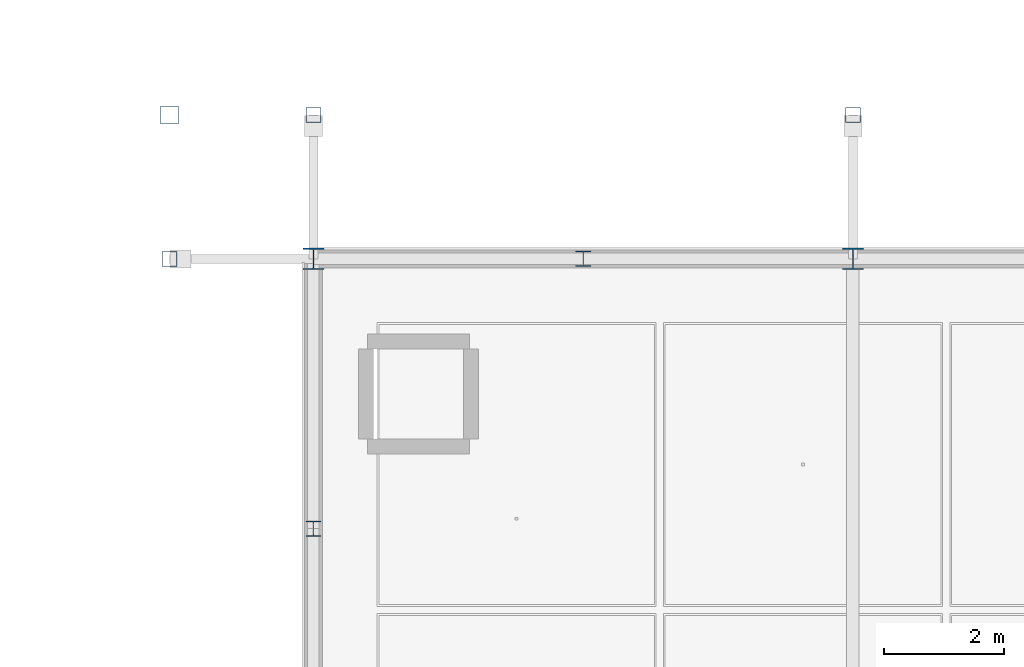
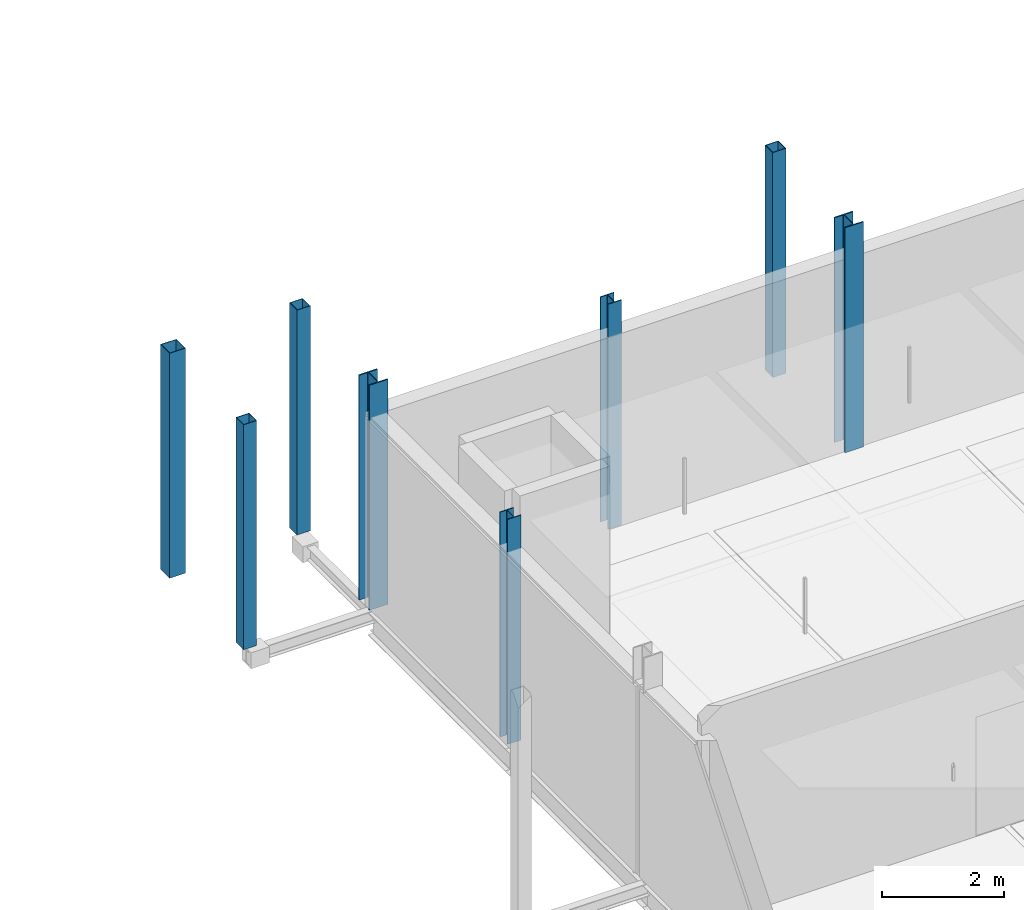
# One storey, part 4 of 89: 8 columns.
"""IFC4 building model written with IfcOpenShell, lengths in metres."""

from ifc_helpers import new_model, si_unit, direction, frame, origin, origin_2d, place, context, subcontext, project, spatial, hollow_rectangle, i_section, extrude, material, material_profile, profile_set, type_object, element, save


model = new_model("IFC4")

# Units and contexts
model_context = context("Model", 3, precision=1e-05, world=origin(), true_north=direction((0.0, 1.0)))
body_context = subcontext(model_context, "Body", "Model", "MODEL_VIEW")
ifc_project = project(units=[si_unit("LENGTHUNIT", "METRE"), si_unit("AREAUNIT", "SQUARE_METRE"), si_unit("VOLUMEUNIT", "CUBIC_METRE"), si_unit("PLANEANGLEUNIT", "RADIAN"), si_unit("MASSUNIT", "GRAM", prefix="KILO"), si_unit("THERMODYNAMICTEMPERATUREUNIT", "KELVIN"), si_unit("POWERUNIT", "WATT")], contexts=[model_context])

# Site, building, storey
site_placement = place(None, origin())
site = spatial("IfcSite", under=ifc_project, at=site_placement, CompositionType="ELEMENT")
building_placement = place(site_placement, origin())
building = spatial("IfcBuilding", under=site, at=building_placement, Name="Tallowbark Science Centre", CompositionType="ELEMENT")
storey_placement = place(building_placement, frame((0.0, 0.0, 14.39990234375)))
storey = spatial("IfcBuildingStorey", under=building, at=storey_placement, Name="L03", CompositionType="ELEMENT", Elevation=14.39990234375)

# Columns
ifc_material_1 = material(Name="White Architectural Painted Steel Grade C350L0 (350 MPa)", Category="steel")
ifc_material_profile_1 = material_profile(ifc_material_1, hollow_rectangle(XDim=0.25, YDim=0.25, WallThickness=0.009033203125, at=origin_2d()), Name="250x250x9.0SHS")
ifc_profile_set_1 = profile_set([ifc_material_profile_1], Name="White Architectural Painted Steel Grade C350L0 (350 MPa)")
column_type_1 = type_object("IfcColumnType", Name="COL-SCR200", PredefinedType="COLUMN", material=ifc_profile_set_1)
for number, where, z_axis, x_axis, name in (
    (1, (58.5, 42.89990234375, 0.0), (0.0, 0.0, 1.0), (1.0, 0.0, 0.0), "Column SCR-N01 L03"),
    (2, (67.5, 42.89990234375, 0.0), (0.0, 0.0, 1.0), (1.0, 0.0, 0.0), "Column SCR-N02 L03"),
    (3, (56.10009765625, 40.5, 0.0), (0.0, 0.0, 1.0), (1.0, 0.0, 0.0), "Column SCR-W05 L03"),
):
    element("IfcColumn", number, at=place(storey_placement, frame(where, z_axis=z_axis, x_axis=x_axis)), inside=storey, type_object=column_type_1, Name=name, PredefinedType="COLUMN", context=body_context, shape_type="SweptSolid", body=[
        extrude(hollow_rectangle(XDim=0.25, YDim=0.25, WallThickness=0.009033203125, at=origin_2d()), origin(), (0.0, 0.0, 1.0), 4.5),
    ])
ifc_material_profile_2 = material_profile(ifc_material_1, hollow_rectangle(XDim=0.300048828125, YDim=0.300048828125, WallThickness=0.010009765625, at=origin_2d()), Name="300x300x10.0SHS")
ifc_profile_set_2 = profile_set([ifc_material_profile_2], Name="White Architectural Painted Steel Grade C350L0 (350 MPa)")
column_type_2 = type_object("IfcColumnType", Name="COL-SCR300", PredefinedType="COLUMN", material=ifc_profile_set_2)
column_placement = place(storey_placement, frame((56.10009765625, 42.89990234375, 0.0), z_axis=(0.0, 0.0, 1.0), x_axis=(1.0, 0.0, 0.0)))
element("IfcColumn", 4, at=column_placement, inside=storey, type_object=column_type_2, Name="Column SCR-N00 L03", PredefinedType="COLUMN", context=body_context, shape_type="SweptSolid", body=[
    extrude(hollow_rectangle(XDim=0.300048828125, YDim=0.300048828125, WallThickness=0.010009765625, at=origin_2d()), origin(), (0.0, 0.0, 1.0), 4.5),
])
ifc_material_2 = material(Name="Structural Steel Grade 300PLUS (300 MPa)", Category="steel")
ifc_material_profile_3 = material_profile(ifc_material_2, i_section(OverallWidth=0.35009765625, OverallDepth=0.35888671875, WebThickness=0.01611328125, FlangeThickness=0.02392578125, FilletRadius=0.013916015625, at=origin_2d()), Name="350WC197")
ifc_profile_set_3 = profile_set([ifc_material_profile_3], Name="Structural Steel Grade 300PLUS (300 MPa)")
column_type_3 = type_object("IfcColumnType", Name="COL-WC350", PredefinedType="COLUMN", material=ifc_profile_set_3)
for number, where, z_axis, x_axis, name in (
    (5, (58.5, 40.5, 0.0), (0.0, 0.0, 1.0), (1.0, 0.0, 0.0), "Column CUB-M0_4 L03"),
    (6, (67.5, 40.5, 0.0), (0.0, 0.0, 1.0), (1.0, 0.0, 0.0), "Column CUB-M1_4 L03"),
):
    element("IfcColumn", number, at=place(storey_placement, frame(where, z_axis=z_axis, x_axis=x_axis)), inside=storey, type_object=column_type_3, Name=name, PredefinedType="COLUMN", context=body_context, shape_type="SweptSolid", body=[
        extrude(i_section(OverallWidth=0.35009765625, OverallDepth=0.35888671875, WebThickness=0.01611328125, FlangeThickness=0.02392578125, FilletRadius=0.013916015625, at=origin_2d()), origin(), (0.0, 0.0, 1.0), 4.5),
    ])
ifc_material_profile_4 = material_profile(ifc_material_2, i_section(OverallWidth=0.256103515625, OverallDepth=0.260009765625, WebThickness=0.010498046875, FlangeThickness=0.017333984375, FilletRadius=0.013916015625, at=origin_2d()), Name="250UC89.5")
ifc_profile_set_4 = profile_set([ifc_material_profile_4], Name="Structural Steel Grade 300PLUS (300 MPa)")
column_type_4 = type_object("IfcColumnType", Name="PIL-UC250", PredefinedType="PILASTER", material=ifc_profile_set_4)
for number, where, z_axis, x_axis, name in (
    (7, (63.0, 40.5, 0.0), (0.0, 0.0, 1.0), (1.0, 0.0, 0.0), "Column CUB-PN-0 L03"),
    (8, (58.5, 36.0, 0.0), (0.0, 0.0, 1.0), (1.0, 0.0, 0.0), "Column CUB-PW-3 L03"),
):
    element("IfcColumn", number, at=place(storey_placement, frame(where, z_axis=z_axis, x_axis=x_axis)), inside=storey, type_object=column_type_4, Name=name, PredefinedType="PILASTER", context=body_context, shape_type="SweptSolid", body=[
        extrude(i_section(OverallWidth=0.256103515625, OverallDepth=0.260009765625, WebThickness=0.010498046875, FlangeThickness=0.017333984375, FilletRadius=0.013916015625, at=origin_2d()), origin(), (0.0, 0.0, 1.0), 4.5),
    ])

save(model, "model.ifc")
